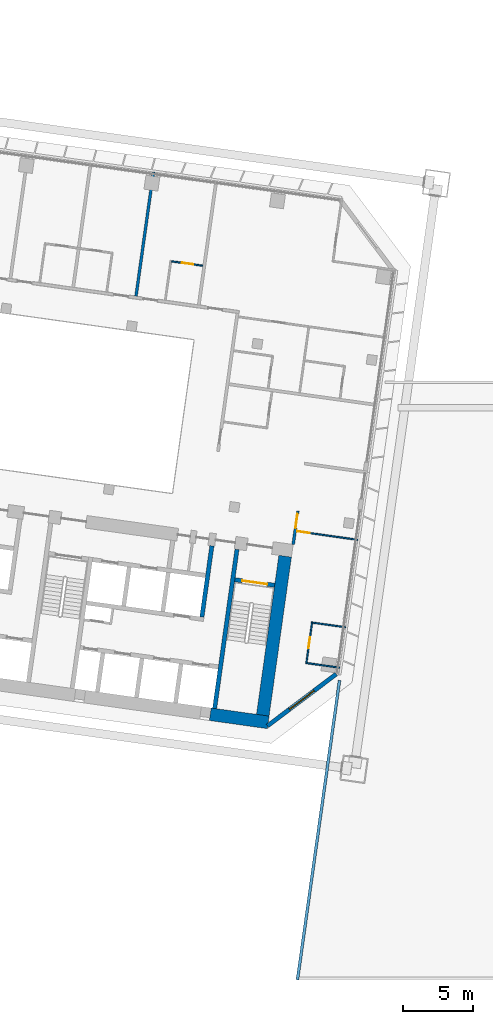
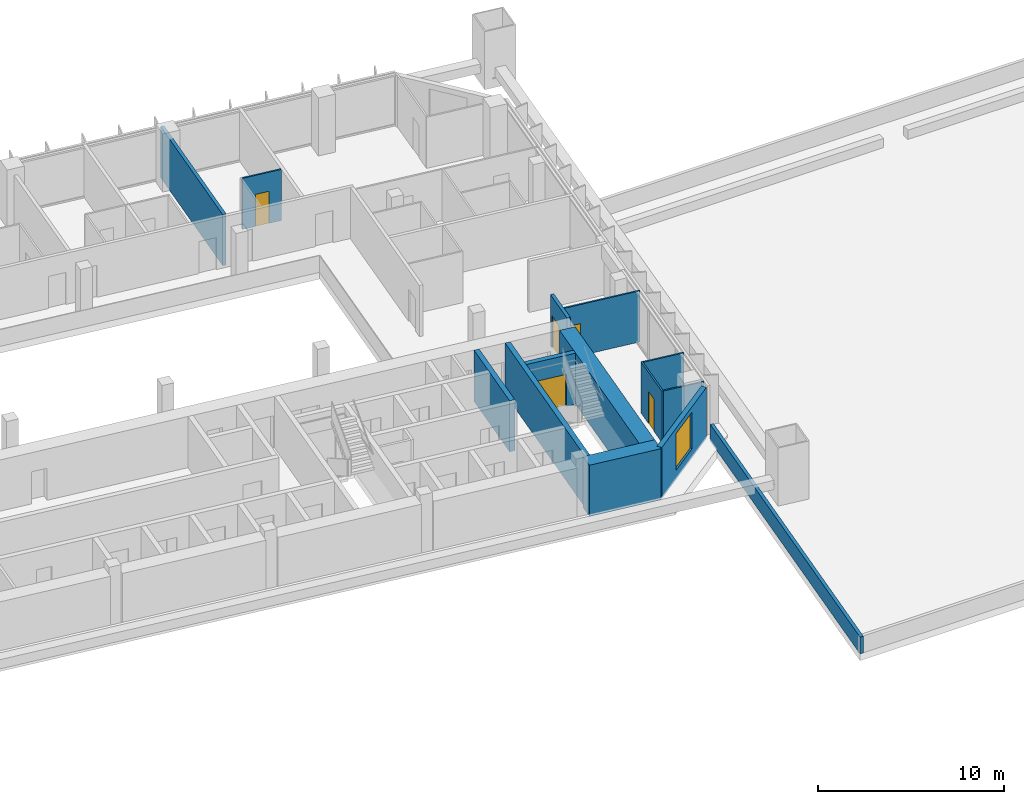
# One storey, part 29 of 46: 14 walls, 5 doors, 1 window, 6 openings.
"""IFC4 building model written with IfcOpenShell, lengths in metres."""

from ifc_helpers import new_model, si_unit, direction, frame, frame_2d, origin, place, context, subcontext, project, spatial, rectangle, extrude, material, layer, layer_set, type_object, element, fill, save


model = new_model("IFC4")

# Units and contexts
model_context = context("Model", 3, precision=1e-05, world=origin(), true_north=direction((0.0, 1.0)))
body_context = subcontext(model_context, "Body", "Model", "MODEL_VIEW")
ifc_project = project(units=[si_unit("LENGTHUNIT", "METRE"), si_unit("AREAUNIT", "SQUARE_METRE"), si_unit("VOLUMEUNIT", "CUBIC_METRE"), si_unit("PLANEANGLEUNIT", "RADIAN"), si_unit("MASSUNIT", "GRAM", prefix="KILO")], contexts=[model_context])

# Site, building, storey
site_placement = place(None, origin())
site = spatial("IfcSite", under=ifc_project, at=site_placement, CompositionType="ELEMENT")
building_placement = place(site_placement, origin())
building = spatial("IfcBuilding", under=site, at=building_placement, Name="Mirante Cascada Hotel Towers", CompositionType="ELEMENT")
storey_placement = place(building_placement, frame((0.0, 0.0, 39.5)))
storey = spatial("IfcBuildingStorey", under=building, at=storey_placement, Name="L06", CompositionType="ELEMENT", Elevation=39.5)

# Wall, opening, door
ifc_material_1 = material(Name="Fire-rated plasterboard on metal studs")
ifc_layer_1 = layer(ifc_material_1, 0.2)
ifc_layer_set_1 = layer_set([ifc_layer_1], Name="Compartment wall 200 EI 120")
wall_type_1 = type_object("IfcWallType", Name="Compartment wall 200 EI 120", PredefinedType="PARTITIONING", material=ifc_layer_set_1)
wall_1_placement = place(storey_placement, frame((-35.2634, -7.1173, 0.0), z_axis=(0.0, 0.0, 1.0), x_axis=(0.1391635, 0.9902694, 0.0)))
wall_1 = element("IfcWall", 1, at=wall_1_placement, inside=storey, type_object=wall_type_1, Name="Wall 1-L06-29", PredefinedType="PARTITIONING", context=body_context, shape_type="SweptSolid", body=[
    extrude(rectangle(XDim=2.4001, YDim=0.2, at=frame_2d((1.2, 0.0))), origin(), (0.0, 0.0, 1.0), 3.35),
])
opening_1_placement = place(wall_1_placement, frame((1.1833, 0.0, 0.0)))
opening_1 = element("IfcOpeningElement", 2, at=opening_1_placement, cuts=wall_1, Name="Opening D1-L06-29", PredefinedType="OPENING", context=body_context, shape_type="SweptSolid", body=[
    extrude(rectangle(XDim=1.0, YDim=2.1, at=frame_2d((0.5, 1.05))), frame((0.0, 0.1, 0.0), z_axis=(0.0, -1.0, 0.0), x_axis=(1.0, 0.0, 0.0)), (0.0, 0.0, 1.0), 0.2),
])
ifc_material_2 = material(Name="Fire-rated timber door leaf", Category="wood")
door_type_1 = type_object("IfcDoorType", Name="Entrance door DG1 1000x2100 EI 60", OperationType="SINGLE_SWING_LEFT", PredefinedType="DOOR", material=ifc_material_2)
door_1_placement = place(opening_1_placement, frame((1.0, 0.0, 0.0), z_axis=(0.0, 0.0, 1.0), x_axis=(-1.0, 0.0, 0.0)))
door_1 = element("IfcDoor", 3, at=door_1_placement, inside=storey, type_object=door_type_1, Name="Door D1-L06-29", OperationType="SINGLE_SWING_RIGHT", OverallHeight=2.1, OverallWidth=1.0, PredefinedType="DOOR", context=body_context, shape_type="SweptSolid", body=[
    extrude(rectangle(XDim=1.0, YDim=2.1, at=frame_2d((0.5, 1.05))), frame((0.0, 0.025, 0.0), z_axis=(0.0, -1.0, 0.0), x_axis=(1.0, 0.0, 0.0)), (0.0, 0.0, 1.0), 0.05),
])
fill(opening_1, door_1)

# Walls
wall_2_placement = place(storey_placement, frame((-46.4192, 10.5068, 0.0), z_axis=(0.0, 0.0, 1.0), x_axis=(0.1391794, 0.9902672, 0.0)))
element("IfcWall", 4, at=wall_2_placement, inside=storey, type_object=wall_type_1, Name="Wall 1-L06-37", PredefinedType="PARTITIONING", context=body_context, shape_type="SweptSolid", body=[
    extrude(rectangle(XDim=8.9, YDim=0.2, at=frame_2d((4.45, 0.0))), origin(), (0.0, 0.0, 1.0), 3.35),
])
ifc_material_3 = material(Name="Plasterboard on metal studs")
ifc_layer_2 = layer(ifc_material_3, 0.1)
ifc_layer_set_2 = layer_set([ifc_layer_2], Name="Partition 100")
wall_type_2 = type_object("IfcWallType", Name="Partition 100", PredefinedType="PARTITIONING", material=ifc_layer_set_2)
for number, where, z_axis, x_axis, name in (
    (5, (-34.2756, -15.5367, 0.0), (0.0, 0.0, 1.0), (0.9902661, -0.139187, 0.0), "Wall 1-L06-02"),
    (6, (-31.5448, -12.992, 0.0), (0.0, 0.0, 1.0), (-0.9902661, 0.139187, 0.0), "Wall 1-L06-03"),
):
    element("IfcWall", number, at=place(storey_placement, frame(where, z_axis=z_axis, x_axis=x_axis)), inside=storey, type_object=wall_type_2, Name=name, PredefinedType="PARTITIONING", context=body_context, shape_type="SweptSolid", body=[
        extrude(rectangle(XDim=2.3501, YDim=0.1, at=frame_2d((1.175, 0.0))), origin(), (0.0, 0.0, 1.0), 3.35),
    ])

# Wall, opening, door
wall_3_placement = place(storey_placement, frame((-35.0298, -6.1739, 0.0), z_axis=(0.0, 0.0, 1.0), x_axis=(0.9902665, -0.1391841, 0.0)))
wall_3 = element("IfcWall", 7, at=wall_3_placement, inside=storey, type_object=wall_type_2, Name="Wall 1-L06-04", PredefinedType="PARTITIONING", context=body_context, shape_type="SweptSolid", body=[
    extrude(rectangle(XDim=4.3999, YDim=0.1, at=frame_2d((2.2, 0.0))), origin(), (0.0, 0.0, 1.0), 3.35),
])
opening_2_placement = place(wall_3_placement, frame((0.05, 0.0, 0.0)))
opening_2 = element("IfcOpeningElement", 8, at=opening_2_placement, cuts=wall_3, Name="Opening D1-L06-02", PredefinedType="OPENING", context=body_context, shape_type="SweptSolid", body=[
    extrude(rectangle(XDim=0.9, YDim=2.1, at=frame_2d((0.45, 1.05))), frame((0.0, 0.05, 0.0), z_axis=(0.0, -1.0, 0.0), x_axis=(1.0, 0.0, 0.0)), (0.0, 0.0, 1.0), 0.1),
])
ifc_material_4 = material(Name="Timber door leaf", Category="wood")
door_type_2 = type_object("IfcDoorType", Name="Room door DG3 900x2100", OperationType="SINGLE_SWING_LEFT", PredefinedType="DOOR", material=ifc_material_4)
door_2_placement = place(opening_2_placement, frame((0.9, 0.0, 0.0), z_axis=(0.0, 0.0, 1.0), x_axis=(-1.0, 0.0, 0.0)))
door_2 = element("IfcDoor", 9, at=door_2_placement, inside=storey, type_object=door_type_2, Name="Door D1-L06-02", OperationType="SINGLE_SWING_RIGHT", OverallHeight=2.1, OverallWidth=0.9, PredefinedType="DOOR", context=body_context, shape_type="SweptSolid", body=[
    extrude(rectangle(XDim=0.9, YDim=2.1, at=frame_2d((0.45, 1.05))), frame((0.0, 0.025, 0.0), z_axis=(0.0, -1.0, 0.0), x_axis=(1.0, 0.0, 0.0)), (0.0, 0.0, 1.0), 0.05),
])
fill(opening_2, door_2)

wall_4_placement = place(storey_placement, frame((-41.6723, 12.6672, 0.0), z_axis=(0.0, 0.0, 1.0), x_axis=(-0.9902643, 0.1391997, 0.0)))
wall_4 = element("IfcWall", 10, at=wall_4_placement, inside=storey, type_object=wall_type_2, Name="Wall 1-L06-19", PredefinedType="PARTITIONING", context=body_context, shape_type="SweptSolid", body=[
    extrude(rectangle(XDim=2.25, YDim=0.1, at=frame_2d((1.125, 0.0))), origin(), (0.0, 0.0, 1.0), 3.35),
])
opening_3_placement = place(wall_4_placement, frame((0.7, 0.0, 0.0)))
opening_3 = element("IfcOpeningElement", 11, at=opening_3_placement, cuts=wall_4, Name="Opening D1-L06-19", PredefinedType="OPENING", context=body_context, shape_type="SweptSolid", body=[
    extrude(rectangle(XDim=0.8, YDim=2.1, at=frame_2d((0.4, 1.05))), frame((0.0, 0.05, 0.0), z_axis=(0.0, -1.0, 0.0), x_axis=(1.0, 0.0, 0.0)), (0.0, 0.0, 1.0), 0.1),
])
ifc_material_5 = material(Name="Timber door leaf", Category="wood")
door_type_3 = type_object("IfcDoorType", Name="Bathroom door DG4 800x2100", OperationType="SINGLE_SWING_LEFT", PredefinedType="DOOR", material=ifc_material_5)
door_3_placement = place(opening_3_placement, frame((0.8, 0.0, 0.0), z_axis=(0.0, 0.0, 1.0), x_axis=(-1.0, 0.0, 0.0)))
door_3 = element("IfcDoor", 12, at=door_3_placement, inside=storey, type_object=door_type_3, Name="Door D1-L06-19", OperationType="SINGLE_SWING_RIGHT", OverallHeight=2.1, OverallWidth=0.8, PredefinedType="DOOR", context=body_context, shape_type="SweptSolid", body=[
    extrude(rectangle(XDim=0.8, YDim=2.1, at=frame_2d((0.4, 1.05))), frame((0.0, 0.025, 0.0), z_axis=(0.0, -1.0, 0.0), x_axis=(1.0, 0.0, 0.0)), (0.0, 0.0, 1.0), 0.05),
])
fill(opening_3, door_3)

wall_5_placement = place(storey_placement, frame((-34.332, -15.5793, 0.0), z_axis=(0.0, 0.0, 1.0), x_axis=(0.1391624, 0.9902696, 0.0)))
wall_5 = element("IfcWall", 13, at=wall_5_placement, inside=storey, type_object=wall_type_2, Name="Wall 1-L06-27", PredefinedType="PARTITIONING", context=body_context, shape_type="SweptSolid", body=[
    extrude(rectangle(XDim=3.0001, YDim=0.1, at=frame_2d((1.5001, 0.0))), origin(), (0.0, 0.0, 1.0), 3.35),
])
opening_4_placement = place(wall_5_placement, frame((1.1, 0.0, 0.0)))
opening_4 = element("IfcOpeningElement", 14, at=opening_4_placement, cuts=wall_5, Name="Opening D1-L06-27", PredefinedType="OPENING", context=body_context, shape_type="SweptSolid", body=[
    extrude(rectangle(XDim=0.8, YDim=2.1, at=frame_2d((0.4, 1.05))), frame((0.0, 0.05, 0.0), z_axis=(0.0, -1.0, 0.0), x_axis=(1.0, 0.0, 0.0)), (0.0, 0.0, 1.0), 0.1),
])
door_4_placement = place(opening_4_placement, origin())
door_4 = element("IfcDoor", 15, at=door_4_placement, inside=storey, type_object=door_type_3, Name="Door D1-L06-27", OperationType="SINGLE_SWING_LEFT", OverallHeight=2.1, OverallWidth=0.8, PredefinedType="DOOR", context=body_context, shape_type="SweptSolid", body=[
    extrude(rectangle(XDim=0.8, YDim=2.1, at=frame_2d((0.4, 1.05))), frame((0.0, 0.025, 0.0), z_axis=(0.0, -1.0, 0.0), x_axis=(1.0, 0.0, 0.0)), (0.0, 0.0, 1.0), 0.05),
])
fill(opening_4, door_4)

# Wall, opening, window
ifc_material_6 = material(Name="Precast concrete C40/50", Category="concrete")
ifc_layer_3 = layer(ifc_material_6, 0.3)
ifc_layer_set_3 = layer_set([ifc_layer_3], Name="Precast concrete C40/50 cladding wall 300")
wall_type_3 = type_object("IfcWallType", Name="Precast concrete C40/50 cladding wall 300", PredefinedType="STANDARD", material=ifc_layer_set_3)
wall_6_placement = place(storey_placement, frame((-32.2074, -16.3138, 0.0), z_axis=(0.0, 0.0, 1.0), x_axis=(-0.7986362, -0.6018141, 0.0)))
wall_6 = element("IfcWall", 16, at=wall_6_placement, inside=storey, type_object=wall_type_3, Name="Corner cladding wall T1 L06 inner rear", PredefinedType="STANDARD", context=body_context, shape_type="SweptSolid", body=[
    extrude(rectangle(XDim=6.1157, YDim=0.3, at=frame_2d((3.0578, 0.0))), origin(), (0.0, 0.0, 1.0), 3.35),
])
opening_5_placement = place(wall_6_placement, frame((1.9578, 0.0, 0.6)))
opening_5 = element("IfcOpeningElement", 17, at=opening_5_placement, cuts=wall_6, Name="Opening W1-06-05", PredefinedType="OPENING", context=body_context, shape_type="SweptSolid", body=[
    extrude(rectangle(XDim=2.2, YDim=2.4, at=frame_2d((1.1, 1.2))), frame((0.0, 0.15, 0.0), z_axis=(0.0, -1.0, 0.0), x_axis=(1.0, 0.0, 0.0)), (0.0, 0.0, 1.0), 0.3),
])
ifc_material_7 = material(Name="Aluminium frame with clear double glazing", Category="aluminium")
window_type = type_object("IfcWindowType", Name="Corner suite window 2200x2400", PartitioningType="DOUBLE_PANEL_VERTICAL", PredefinedType="WINDOW", material=ifc_material_7)
window_placement = place(opening_5_placement, origin())
window = element("IfcWindow", 18, at=window_placement, inside=storey, type_object=window_type, Name="Window W1-06-05", OverallHeight=2.4, OverallWidth=2.2, PartitioningType="SINGLE_PANEL", PredefinedType="WINDOW", context=body_context, shape_type="SweptSolid", body=[
    extrude(rectangle(XDim=2.2, YDim=2.4, at=frame_2d((1.1, 1.2))), frame((0.0, 0.03, 0.0), z_axis=(0.0, -1.0, 0.0), x_axis=(1.0, 0.0, 0.0)), (0.0, 0.0, 1.0), 0.06),
])
fill(opening_5, window)

# Wall
ifc_material_8 = material(Name="Concrete C50/60", Category="concrete")
ifc_layer_4 = layer(ifc_material_8, 0.3)
ifc_layer_set_4 = layer_set([ifc_layer_4], Name="RC core wall 300 C50/60")
wall_type_4 = type_object("IfcWallType", Name="RC core wall 300 C50/60", PredefinedType="SHEAR", material=ifc_layer_set_4)
wall_7_placement = place(storey_placement, frame((-40.8373, -18.7548, 0.0), z_axis=(0.0, 0.0, 1.0), x_axis=(0.1391749, 0.9902678, 0.0)))
element("IfcWall", 19, at=wall_7_placement, inside=storey, type_object=wall_type_4, Name="Core wall T1:L06:5", PredefinedType="SHEAR", context=body_context, shape_type="SweptSolid", body=[
    extrude(rectangle(XDim=11.4, YDim=0.3, at=frame_2d((5.7, 0.0))), origin(), (0.0, 0.0, 1.0), 3.35),
])

# Wall, opening, door
wall_8_placement = place(storey_placement, frame((-36.5791, -10.0123, 0.0), z_axis=(0.0, 0.0, 1.0), x_axis=(-0.9902704, 0.1391564, 0.0)))
wall_8 = element("IfcWall", 20, at=wall_8_placement, inside=storey, type_object=wall_type_4, Name="Core wall T1:L06:9", PredefinedType="SHEAR", context=body_context, shape_type="SweptSolid", body=[
    extrude(rectangle(XDim=2.85, YDim=0.3, at=frame_2d((1.425, 0.0))), origin(), (0.0, 0.0, 1.0), 3.35),
])
opening_6_placement = place(wall_8_placement, frame((0.525, 0.0, 0.0)))
opening_6 = element("IfcOpeningElement", 21, at=opening_6_placement, cuts=wall_8, Name="Opening D1-06-C13", PredefinedType="OPENING", context=body_context, shape_type="SweptSolid", body=[
    extrude(rectangle(XDim=1.8, YDim=2.1, at=frame_2d((0.9, 1.05))), frame((0.0, 0.15, 0.0), z_axis=(0.0, -1.0, 0.0), x_axis=(1.0, 0.0, 0.0)), (0.0, 0.0, 1.0), 0.3),
])
ifc_material_9 = material(Name="Hollow metal fire door leaf")
door_type_4 = type_object("IfcDoorType", Name="Double fire door 1800x2100 FD60", OperationType="DOUBLE_DOOR_SINGLE_SWING", PredefinedType="DOOR", material=ifc_material_9)
door_5_placement = place(opening_6_placement, origin())
door_5 = element("IfcDoor", 22, at=door_5_placement, inside=storey, type_object=door_type_4, Name="Stair door T1 L06 13", OperationType="DOUBLE_DOOR_SINGLE_SWING", OverallHeight=2.1, OverallWidth=1.8, PredefinedType="DOOR", context=body_context, shape_type="SweptSolid", body=[
    extrude(rectangle(XDim=0.895, YDim=2.1, at=frame_2d((0.4475, 1.05))), frame((0.0, 0.025, 0.0), z_axis=(0.0, -1.0, 0.0), x_axis=(1.0, 0.0, 0.0)), (0.0, 0.0, 1.0), 0.05),
    extrude(rectangle(XDim=0.895, YDim=2.1, at=frame_2d((1.3525, 1.05))), frame((0.0, 0.025, 0.0), z_axis=(0.0, -1.0, 0.0), x_axis=(1.0, 0.0, 0.0)), (0.0, 0.0, 1.0), 0.05),
])
fill(opening_6, door_5)

# Walls
wall_9_placement = place(storey_placement, frame((-41.743, -12.2656, 0.0), z_axis=(0.0, 0.0, 1.0), x_axis=(0.1391755, 0.9902677, 0.0)))
element("IfcWall", 23, at=wall_9_placement, inside=storey, type_object=wall_type_4, Name="Core wall T1:L06:20", PredefinedType="SHEAR", context=body_context, shape_type="SweptSolid", body=[
    extrude(rectangle(XDim=5.1, YDim=0.3, at=frame_2d((2.55, 0.0))), origin(), (0.0, 0.0, 1.0), 3.35),
])
ifc_material_10 = material(Name="Concrete C50/60", Category="concrete")
ifc_layer_5 = layer(ifc_material_10, 0.9)
ifc_layer_set_5 = layer_set([ifc_layer_5], Name="RC core wall 900 C50/60")
wall_type_5 = type_object("IfcWallType", Name="RC core wall 900 C50/60", PredefinedType="SHEAR", material=ifc_layer_set_5)
wall_10_placement = place(storey_placement, frame((-37.0379, -19.7432, 0.0), z_axis=(0.0, 0.0, 1.0), x_axis=(-0.990267, 0.139181, 0.0)))
element("IfcWall", 24, at=wall_10_placement, inside=storey, type_object=wall_type_5, Name="Core wall T1:L06:1.1", PredefinedType="SHEAR", context=body_context, shape_type="SweptSolid", body=[
    extrude(rectangle(XDim=4.15, YDim=0.9, at=frame_2d((2.075, 0.0))), origin(), (0.0, 0.0, 1.0), 3.35),
])
wall_11_placement = place(storey_placement, frame((-37.4209, -19.2349, 0.0), z_axis=(0.0, 0.0, 1.0), x_axis=(0.1391761, 0.9902677, 0.0)))
element("IfcWall", 25, at=wall_11_placement, inside=storey, type_object=wall_type_5, Name="Core wall T1:L06:3", PredefinedType="SHEAR", context=body_context, shape_type="SweptSolid", body=[
    extrude(rectangle(XDim=11.3999, YDim=0.9, at=frame_2d((5.7, 0.0))), origin(), (0.0, 0.0, 1.0), 3.35),
])
ifc_material_11 = material(Name="Precast concrete C40/50", Category="concrete")
ifc_layer_6 = layer(ifc_material_11, 0.2)
ifc_layer_set_6 = layer_set([ifc_layer_6], Name="Terrace parapet wall 200 concrete C40/50")
wall_type_6 = type_object("IfcWallType", Name="Terrace parapet wall 200 concrete C40/50", PredefinedType="PARAPET", material=ifc_layer_set_6)
wall_12_placement = place(storey_placement, frame((-31.974, -16.7639, 0.0), z_axis=(0.0, 0.0, 1.0), x_axis=(-0.1391689, -0.9902687, 0.0)))
element("IfcWall", 26, at=wall_12_placement, inside=storey, type_object=wall_type_6, Name="Terrace parapet podium L05 1.4.1", PredefinedType="PARAPET", context=body_context, shape_type="SweptSolid", body=[
    extrude(rectangle(XDim=21.4588, YDim=0.2, at=frame_2d((10.7294, 0.0))), origin(), (0.0, 0.0, 1.0), 1.1),
])

save(model, "model.ifc")
